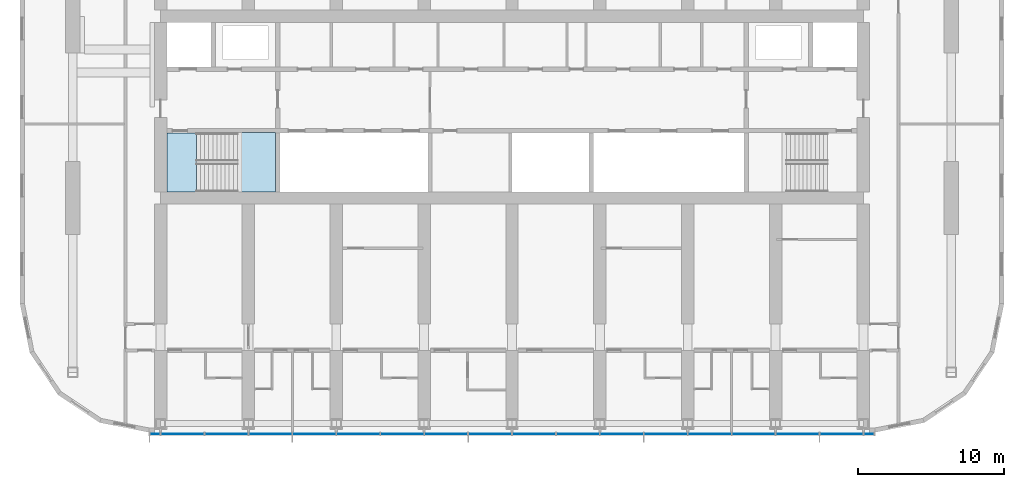
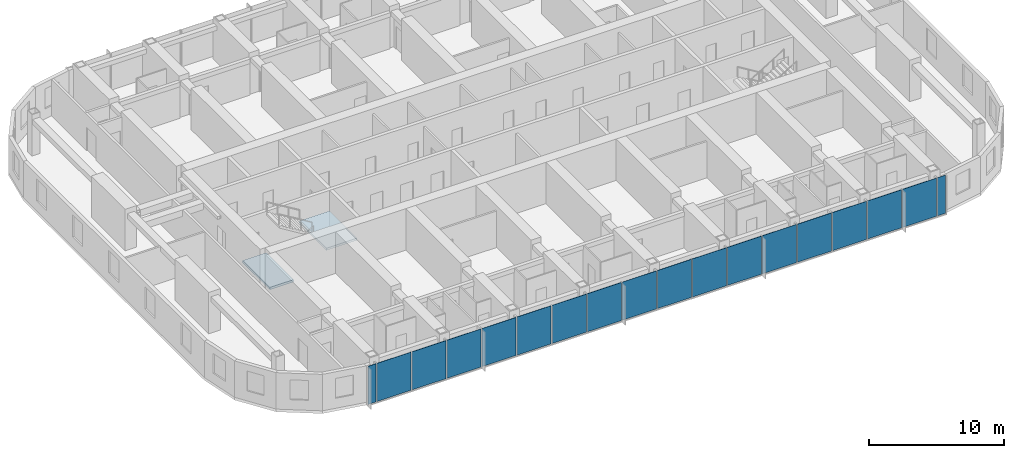
# One storey, part 7 of 22: 18 plates, 2 slabs, 2 elements without a shape of their own.
"""IFC4 building model written with IfcOpenShell, lengths in metres."""

from ifc_helpers import new_model, si_unit, direction, frame, origin, origin_2d, place, context, subcontext, project, spatial, polyline, rectangle, outline, extrude, material, layer, layer_set, type_object, element, aggregate, save


model = new_model("IFC4")

# Units and contexts
model_context = context("Model", 3, precision=1e-05, world=origin(), true_north=direction((0.0, 1.0)))
body_context = subcontext(model_context, "Body", "Model", "MODEL_VIEW")
ifc_project = project(units=[si_unit("LENGTHUNIT", "METRE"), si_unit("AREAUNIT", "SQUARE_METRE"), si_unit("VOLUMEUNIT", "CUBIC_METRE"), si_unit("PLANEANGLEUNIT", "RADIAN"), si_unit("MASSUNIT", "GRAM", prefix="KILO")], contexts=[model_context])

# Site, building, storey
site_placement = place(None, origin())
site = spatial("IfcSite", under=ifc_project, at=site_placement, CompositionType="ELEMENT")
building_placement = place(site_placement, origin())
building = spatial("IfcBuilding", under=site, at=building_placement, Name="Orbita Commons", CompositionType="ELEMENT")
storey_placement = place(building_placement, frame((0.0, 0.0, 189.85009765625)))
storey = spatial("IfcBuildingStorey", under=building, at=storey_placement, Name="L47", CompositionType="ELEMENT", Elevation=189.85009765625)

# Curtain wall, plates
ifc_material_1 = material(Name="Anodised aluminium frame, pale silver", Category="aluminium")
curtain_wall_type = type_object("IfcCurtainWallType", Name="Unitised curtain wall CW-U, full-height vision", PredefinedType="NOTDEFINED", material=ifc_material_1)
curtain_wall_placement = place(storey_placement, origin())
curtain_wall = element("IfcCurtainWall", 1, at=curtain_wall_placement, inside=storey, type_object=curtain_wall_type, Name="Curtain wall south L47", PredefinedType="NOTDEFINED")
ifc_material_2 = material(Name="Clear double glazing", Category="glass")
ifc_layer_1 = layer(ifc_material_2, 0.031982421875)
ifc_layer_set_1 = layer_set([ifc_layer_1], Name="Clear double glazing")
plate_type = type_object("IfcPlateType", Name="Full-height vision panel, clear glazing 32", PredefinedType="CURTAIN_PANEL", material=ifc_layer_set_1)
plate_1_placement = place(storey_placement, frame((17.6201171875, 9.68994140625, -0.14990234375), z_axis=(0.0, 0.0, 1.0), x_axis=(1.0, 0.0, 0.0)))
plate_1 = element("IfcPlate", 2, at=plate_1_placement, type_object=plate_type, Name="Panel 1.1 CW-L47-S", PredefinedType="CURTAIN_PANEL", context=body_context, shape_type="SweptSolid", body=[
    extrude(rectangle(XDim=0.679931640625, YDim=0.031982421875, at=origin_2d()), origin(), (0.0, 0.0, 1.0), 3.449951171875),
])
plate_2_placement = place(storey_placement, frame((19.5, 9.68994140625, -0.14990234375), z_axis=(0.0, 0.0, 1.0), x_axis=(1.0, 0.0, 0.0)))
plate_2 = element("IfcPlate", 3, at=plate_2_placement, type_object=plate_type, Name="Panel 2.1 CW-L47-S", PredefinedType="CURTAIN_PANEL", context=body_context, shape_type="SweptSolid", body=[
    extrude(rectangle(XDim=2.919921875, YDim=0.031982421875, at=origin_2d()), origin(), (0.0, 0.0, 1.0), 3.449951171875),
])
plate_3_placement = place(storey_placement, frame((22.5, 9.68994140625, -0.14990234375), z_axis=(0.0, 0.0, 1.0), x_axis=(1.0, 0.0, 0.0)))
plate_3 = element("IfcPlate", 4, at=plate_3_placement, type_object=plate_type, Name="Panel 3.1 CW-L47-S", PredefinedType="CURTAIN_PANEL", context=body_context, shape_type="SweptSolid", body=[
    extrude(rectangle(XDim=2.919921875, YDim=0.031982421875, at=origin_2d()), origin(), (0.0, 0.0, 1.0), 3.449951171875),
])
plate_4_placement = place(storey_placement, frame((25.5, 9.68994140625, -0.14990234375), z_axis=(0.0, 0.0, 1.0), x_axis=(1.0, 0.0, 0.0)))
plate_4 = element("IfcPlate", 5, at=plate_4_placement, type_object=plate_type, Name="Panel 4.1 CW-L47-S", PredefinedType="CURTAIN_PANEL", context=body_context, shape_type="SweptSolid", body=[
    extrude(rectangle(XDim=2.919921875, YDim=0.031982421875, at=origin_2d()), origin(), (0.0, 0.0, 1.0), 3.449951171875),
])
plate_5_placement = place(storey_placement, frame((28.5, 9.68994140625, -0.14990234375), z_axis=(0.0, 0.0, 1.0), x_axis=(1.0, 0.0, 0.0)))
plate_5 = element("IfcPlate", 6, at=plate_5_placement, type_object=plate_type, Name="Panel 5.1 CW-L47-S", PredefinedType="CURTAIN_PANEL", context=body_context, shape_type="SweptSolid", body=[
    extrude(rectangle(XDim=2.919921875, YDim=0.031982421875, at=origin_2d()), origin(), (0.0, 0.0, 1.0), 3.449951171875),
])
plate_6_placement = place(storey_placement, frame((31.5, 9.68994140625, -0.14990234375), z_axis=(0.0, 0.0, 1.0), x_axis=(1.0, 0.0, 0.0)))
plate_6 = element("IfcPlate", 7, at=plate_6_placement, type_object=plate_type, Name="Panel 6.1 CW-L47-S", PredefinedType="CURTAIN_PANEL", context=body_context, shape_type="SweptSolid", body=[
    extrude(rectangle(XDim=2.919921875, YDim=0.031982421875, at=origin_2d()), origin(), (0.0, 0.0, 1.0), 3.449951171875),
])
plate_7_placement = place(storey_placement, frame((34.5, 9.68994140625, -0.14990234375), z_axis=(0.0, 0.0, 1.0), x_axis=(1.0, 0.0, 0.0)))
plate_7 = element("IfcPlate", 8, at=plate_7_placement, type_object=plate_type, Name="Panel 7.1 CW-L47-S", PredefinedType="CURTAIN_PANEL", context=body_context, shape_type="SweptSolid", body=[
    extrude(rectangle(XDim=2.919921875, YDim=0.031982421875, at=origin_2d()), origin(), (0.0, 0.0, 1.0), 3.449951171875),
])
plate_8_placement = place(storey_placement, frame((37.5, 9.68994140625, -0.14990234375), z_axis=(0.0, 0.0, 1.0), x_axis=(1.0, 0.0, 0.0)))
plate_8 = element("IfcPlate", 9, at=plate_8_placement, type_object=plate_type, Name="Panel 8.1 CW-L47-S", PredefinedType="CURTAIN_PANEL", context=body_context, shape_type="SweptSolid", body=[
    extrude(rectangle(XDim=2.919921875, YDim=0.031982421875, at=origin_2d()), origin(), (0.0, 0.0, 1.0), 3.449951171875),
])
plate_9_placement = place(storey_placement, frame((40.5, 9.68994140625, -0.14990234375), z_axis=(0.0, 0.0, 1.0), x_axis=(1.0, 0.0, 0.0)))
plate_9 = element("IfcPlate", 10, at=plate_9_placement, type_object=plate_type, Name="Panel 9.1 CW-L47-S", PredefinedType="CURTAIN_PANEL", context=body_context, shape_type="SweptSolid", body=[
    extrude(rectangle(XDim=2.919921875, YDim=0.031982421875, at=origin_2d()), origin(), (0.0, 0.0, 1.0), 3.449951171875),
])
plate_10_placement = place(storey_placement, frame((43.5, 9.68994140625, -0.14990234375), z_axis=(0.0, 0.0, 1.0), x_axis=(1.0, 0.0, 0.0)))
plate_10 = element("IfcPlate", 11, at=plate_10_placement, type_object=plate_type, Name="Panel 10.1 CW-L47-S", PredefinedType="CURTAIN_PANEL", context=body_context, shape_type="SweptSolid", body=[
    extrude(rectangle(XDim=2.919921875, YDim=0.031982421875, at=origin_2d()), origin(), (0.0, 0.0, 1.0), 3.449951171875),
])
plate_11_placement = place(storey_placement, frame((46.5, 9.68994140625, -0.14990234375), z_axis=(0.0, 0.0, 1.0), x_axis=(1.0, 0.0, 0.0)))
plate_11 = element("IfcPlate", 12, at=plate_11_placement, type_object=plate_type, Name="Panel 11.1 CW-L47-S", PredefinedType="CURTAIN_PANEL", context=body_context, shape_type="SweptSolid", body=[
    extrude(rectangle(XDim=2.919921875, YDim=0.031982421875, at=origin_2d()), origin(), (0.0, 0.0, 1.0), 3.449951171875),
])
plate_12_placement = place(storey_placement, frame((49.5, 9.68994140625, -0.14990234375), z_axis=(0.0, 0.0, 1.0), x_axis=(1.0, 0.0, 0.0)))
plate_12 = element("IfcPlate", 13, at=plate_12_placement, type_object=plate_type, Name="Panel 12.1 CW-L47-S", PredefinedType="CURTAIN_PANEL", context=body_context, shape_type="SweptSolid", body=[
    extrude(rectangle(XDim=2.919921875, YDim=0.031982421875, at=origin_2d()), origin(), (0.0, 0.0, 1.0), 3.449951171875),
])
plate_13_placement = place(storey_placement, frame((52.5, 9.68994140625, -0.14990234375), z_axis=(0.0, 0.0, 1.0), x_axis=(1.0, 0.0, 0.0)))
plate_13 = element("IfcPlate", 14, at=plate_13_placement, type_object=plate_type, Name="Panel 13.1 CW-L47-S", PredefinedType="CURTAIN_PANEL", context=body_context, shape_type="SweptSolid", body=[
    extrude(rectangle(XDim=2.919921875, YDim=0.031982421875, at=origin_2d()), origin(), (0.0, 0.0, 1.0), 3.449951171875),
])
plate_14_placement = place(storey_placement, frame((55.5, 9.68994140625, -0.14990234375), z_axis=(0.0, 0.0, 1.0), x_axis=(1.0, 0.0, 0.0)))
plate_14 = element("IfcPlate", 15, at=plate_14_placement, type_object=plate_type, Name="Panel 14.1 CW-L47-S", PredefinedType="CURTAIN_PANEL", context=body_context, shape_type="SweptSolid", body=[
    extrude(rectangle(XDim=2.919921875, YDim=0.031982421875, at=origin_2d()), origin(), (0.0, 0.0, 1.0), 3.449951171875),
])
plate_15_placement = place(storey_placement, frame((58.5, 9.68994140625, -0.14990234375), z_axis=(0.0, 0.0, 1.0), x_axis=(1.0, 0.0, 0.0)))
plate_15 = element("IfcPlate", 16, at=plate_15_placement, type_object=plate_type, Name="Panel 15.1 CW-L47-S", PredefinedType="CURTAIN_PANEL", context=body_context, shape_type="SweptSolid", body=[
    extrude(rectangle(XDim=2.919921875, YDim=0.031982421875, at=origin_2d()), origin(), (0.0, 0.0, 1.0), 3.449951171875),
])
plate_16_placement = place(storey_placement, frame((61.5, 9.68994140625, -0.14990234375), z_axis=(0.0, 0.0, 1.0), x_axis=(1.0, 0.0, 0.0)))
plate_16 = element("IfcPlate", 17, at=plate_16_placement, type_object=plate_type, Name="Panel 16.1 CW-L47-S", PredefinedType="CURTAIN_PANEL", context=body_context, shape_type="SweptSolid", body=[
    extrude(rectangle(XDim=2.919921875, YDim=0.031982421875, at=origin_2d()), origin(), (0.0, 0.0, 1.0), 3.449951171875),
])
plate_17_placement = place(storey_placement, frame((64.5, 9.68994140625, -0.14990234375), z_axis=(0.0, 0.0, 1.0), x_axis=(1.0, 0.0, 0.0)))
plate_17 = element("IfcPlate", 18, at=plate_17_placement, type_object=plate_type, Name="Panel 17.1 CW-L47-S", PredefinedType="CURTAIN_PANEL", context=body_context, shape_type="SweptSolid", body=[
    extrude(rectangle(XDim=2.919921875, YDim=0.031982421875, at=origin_2d()), origin(), (0.0, 0.0, 1.0), 3.449951171875),
])
plate_18_placement = place(storey_placement, frame((66.3798828125, 9.68994140625, -0.14990234375), z_axis=(0.0, 0.0, 1.0), x_axis=(1.0, 0.0, 0.0)))
plate_18 = element("IfcPlate", 19, at=plate_18_placement, type_object=plate_type, Name="Panel 18.1 CW-L47-S", PredefinedType="CURTAIN_PANEL", context=body_context, shape_type="SweptSolid", body=[
    extrude(rectangle(XDim=0.679931640625, YDim=0.031982421875, at=origin_2d()), origin(), (0.0, 0.0, 1.0), 3.449951171875),
])
aggregate(curtain_wall, [plate_1, plate_2, plate_3, plate_4, plate_5, plate_6, plate_7, plate_8, plate_9, plate_10, plate_11, plate_12, plate_13, plate_14, plate_15, plate_16, plate_17, plate_18])

# Stair, slabs
ifc_material_3 = material(Name="Precast concrete C40/50", Category="concrete")
stair_type = type_object("IfcStairType", Name="Exit stair S1 2 flights 11 risers 170", PredefinedType="HALF_TURN_STAIR", material=ifc_material_3)
stair_placement = place(storey_placement, origin())
stair = element("IfcStair", 20, at=stair_placement, inside=storey, type_object=stair_type, Name="Exit stair S1 L47", PredefinedType="HALF_TURN_STAIR")
ifc_material_4 = material(Name="Concrete C40/50", Category="concrete")
ifc_layer_2 = layer(ifc_material_4, 0.199951171875)
ifc_layer_set_2 = layer_set([ifc_layer_2], Name="Concrete C40/50")
slab_type = type_object("IfcSlabType", Name="Stair landing 200", PredefinedType="LANDING", material=ifc_layer_set_2)
slab_1_placement = place(storey_placement, frame((0.0, 0.0, -0.2001953125)))
slab_1 = element("IfcSlab", 21, at=slab_1_placement, type_object=slab_type, Name="S1 landing 1", PredefinedType="LANDING", context=body_context, shape_type="SweptSolid", body=[
    extrude(outline(polyline([(18.425048828125, 26.22509765625), (20.449951171875, 26.22509765625), (20.449951171875, 30.25), (18.425048828125, 30.25), (18.425048828125, 26.22509765625)])), origin(), (0.0, 0.0, 1.0), 0.2001953125),
])
slab_2_placement = place(storey_placement, frame((0.0, 0.0, 1.6748046875)))
slab_2 = element("IfcSlab", 22, at=slab_2_placement, type_object=slab_type, Name="S1 landing 2", PredefinedType="LANDING", context=body_context, shape_type="SweptSolid", body=[
    extrude(outline(polyline([(23.25, 26.2099609375), (25.864990234375, 26.2099609375), (25.864990234375, 30.264892578125), (23.25, 30.264892578125), (23.25, 26.2099609375)])), origin(), (0.0, 0.0, 1.0), 0.2001953125),
])
aggregate(stair, [slab_1, slab_2])

save(model, "model.ifc")
